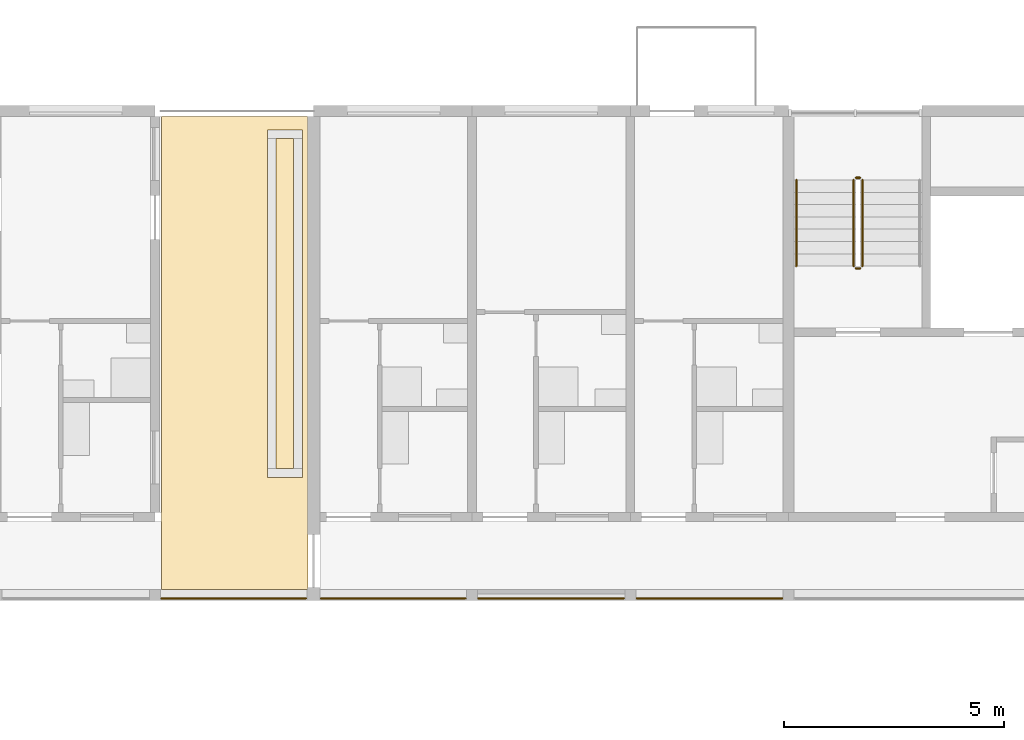
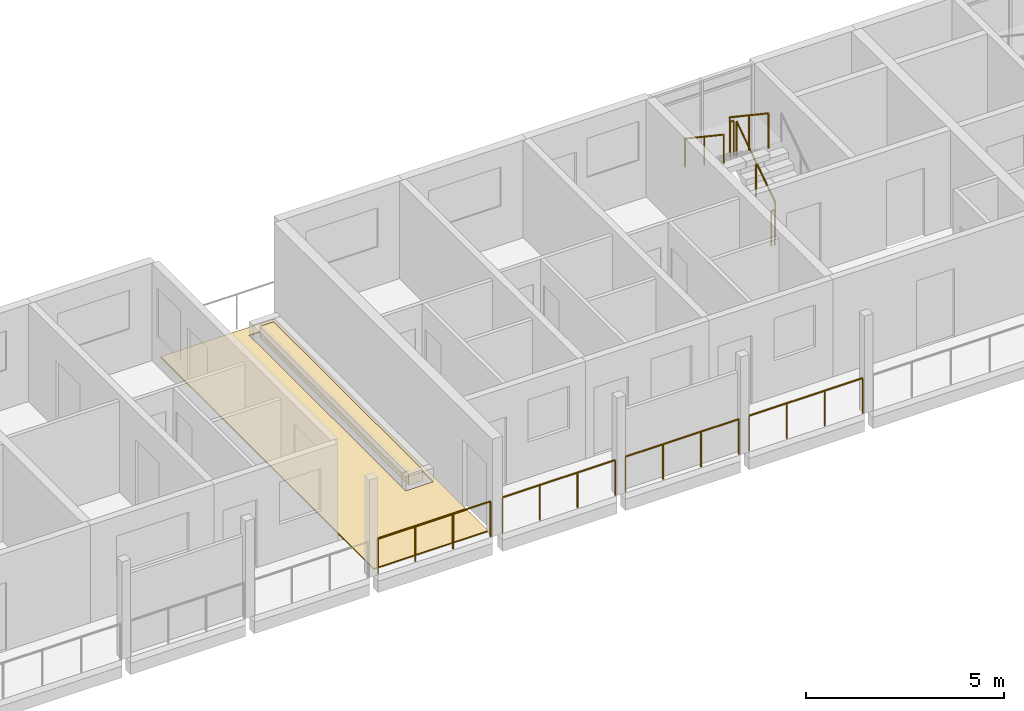
# One storey, part 76 of 93: 9 railings, 3 coverings.
"""IFC4 building model written with IfcOpenShell, lengths in metres."""

from ifc_helpers import new_model, si_unit, direction, frame, origin, origin_2d, place, context, subcontext, project, spatial, polyline, circle, outline, extrude, material, layer, layer_set, type_object, element, save


model = new_model("IFC4")

# Units and contexts
model_context = context("Model", 3, precision=1e-05, world=origin(), true_north=direction((0.0, 1.0)))
body_context = subcontext(model_context, "Body", "Model", "MODEL_VIEW")
ifc_project = project(units=[si_unit("LENGTHUNIT", "METRE"), si_unit("AREAUNIT", "SQUARE_METRE"), si_unit("VOLUMEUNIT", "CUBIC_METRE"), si_unit("PLANEANGLEUNIT", "RADIAN"), si_unit("MASSUNIT", "GRAM", prefix="KILO")], contexts=[model_context])

# Site, building, storey
site_placement = place(None, origin())
site = spatial("IfcSite", under=ifc_project, at=site_placement, CompositionType="ELEMENT")
building_placement = place(site_placement, origin())
building = spatial("IfcBuilding", under=site, at=building_placement, Name="Ridgestep Commons", CompositionType="ELEMENT")
storey_placement = place(building_placement, frame((0.0, 0.0, 18.0)))
storey = spatial("IfcBuildingStorey", under=building, at=storey_placement, Name="L06", CompositionType="ELEMENT", Elevation=18.0)

# Railings
ifc_material_1 = material(Name="Structural steel S355JR", Category="steel")
railing_type_1 = type_object("IfcRailingType", Name="Guard 1100", PredefinedType="GUARDRAIL", material=ifc_material_1)
for number, where, name in (
    (1, (58.946044921875, 66.050048828125, 0.0), "Gallery guard B 06.12"),
    (2, (62.571044921875, 66.050048828125, 0.0), "Gallery guard B 06.13"),
):
    element("IfcRailing", number, at=place(storey_placement, frame(where)), inside=storey, type_object=railing_type_1, Name=name, PredefinedType="GUARDRAIL", context=body_context, shape_type="SweptSolid", body=[
        extrude(circle(Radius=0.02392578125, at=origin_2d()), frame((0.0, 0.0, 1.076171875), z_axis=(1.0, 0.0, 0.0), x_axis=(0.0, 1.0, 0.0)), (0.0, 0.0, 1.0), 3.282958984375),
        extrude(circle(Radius=0.02099609375, at=origin_2d()), origin(), (0.0, 0.0, 1.0), 1.052001953125),
        extrude(circle(Radius=0.02099609375, at=origin_2d()), frame((1.09423828125, 0.0, 0.0)), (0.0, 0.0, 1.0), 1.052001953125),
        extrude(circle(Radius=0.02099609375, at=origin_2d()), frame((2.188720703125, 0.0, 0.0)), (0.0, 0.0, 1.0), 1.052001953125),
        extrude(circle(Radius=0.02099609375, at=origin_2d()), frame((3.282958984375, 0.0, 0.0)), (0.0, 0.0, 1.0), 1.052001953125),
    ])
railing_1_placement = place(storey_placement, frame((66.14599609375, 66.050048828125, 0.0)))
element("IfcRailing", 3, at=railing_1_placement, inside=storey, type_object=railing_type_1, Name="Gallery guard B 06.14", PredefinedType="GUARDRAIL", context=body_context, shape_type="SweptSolid", body=[
    extrude(circle(Radius=0.02392578125, at=origin_2d()), frame((0.0, 0.0, 1.076171875), z_axis=(1.0, 0.0, 0.0), x_axis=(0.0, 1.0, 0.0)), (0.0, 0.0, 1.0), 3.30810546875),
    extrude(circle(Radius=0.02099609375, at=origin_2d()), origin(), (0.0, 0.0, 1.0), 1.052001953125),
    extrude(circle(Radius=0.02099609375, at=origin_2d()), frame((1.102783203125, 0.0, 0.0)), (0.0, 0.0, 1.0), 1.052001953125),
    extrude(circle(Radius=0.02099609375, at=origin_2d()), frame((2.205322265625, 0.0, 0.0)), (0.0, 0.0, 1.0), 1.052001953125),
    extrude(circle(Radius=0.02099609375, at=origin_2d()), frame((3.30810546875, 0.0, 0.0)), (0.0, 0.0, 1.0), 1.052001953125),
])
railing_2_placement = place(storey_placement, frame((69.74609375, 66.050048828125, 0.0)))
element("IfcRailing", 4, at=railing_2_placement, inside=storey, type_object=railing_type_1, Name="Gallery guard B 06.15", PredefinedType="GUARDRAIL", context=body_context, shape_type="SweptSolid", body=[
    extrude(circle(Radius=0.02392578125, at=origin_2d()), frame((0.0, 0.0, 1.076171875), z_axis=(1.0, 0.0, 0.0), x_axis=(0.0, 1.0, 0.0)), (0.0, 0.0, 1.0), 3.307861328125),
    extrude(circle(Radius=0.02099609375, at=origin_2d()), origin(), (0.0, 0.0, 1.0), 1.052001953125),
    extrude(circle(Radius=0.02099609375, at=origin_2d()), frame((1.1025390625, 0.0, 0.0)), (0.0, 0.0, 1.0), 1.052001953125),
    extrude(circle(Radius=0.02099609375, at=origin_2d()), frame((2.205322265625, 0.0, 0.0)), (0.0, 0.0, 1.0), 1.052001953125),
    extrude(circle(Radius=0.02099609375, at=origin_2d()), frame((3.307861328125, 0.0, 0.0)), (0.0, 0.0, 1.0), 1.052001953125),
])

# Covering
ifc_material_2 = material(Name="Planting soil")
ifc_layer_1 = layer(ifc_material_2, 0.35009765625)
ifc_layer_set_1 = layer_set([ifc_layer_1], Name="Planting soil 350")
covering_type_1 = type_object("IfcCoveringType", Name="Planting soil 350", PredefinedType="FLOORING", material=ifc_layer_set_1)
covering_1_placement = place(storey_placement, frame((0.0, 0.0, 0.010009765625)))
element("IfcCovering", 5, at=covering_1_placement, inside=storey, type_object=covering_type_1, Name="Planting soil B3R1", PredefinedType="FLOORING", context=body_context, shape_type="SweptSolid", body=[
    extrude(outline(polyline([(61.550048828125, 69.0), (61.949951171875, 69.0), (61.949951171875, 76.5), (61.550048828125, 76.5), (61.550048828125, 69.0)])), origin(), (0.0, 0.0, 1.0), 0.35009765625),
])

# Railings
ifc_material_3 = material(Name="Structural steel S355JR", Category="steel")
railing_type_2 = type_object("IfcRailingType", Name="Stair guard 1100", PredefinedType="GUARDRAIL", material=ifc_material_3)
railing_3_placement = place(storey_placement, frame((74.875, 73.60009765625, 0.1875)))
element("IfcRailing", 6, at=railing_3_placement, inside=storey, type_object=railing_type_2, Name="L06 B4C stair guard 1", PredefinedType="GUARDRAIL", context=body_context, shape_type="SweptSolid", body=[
    extrude(circle(Radius=0.02392578125, at=origin_2d()), frame((0.0, 0.0, 1.076171875), z_axis=(0.0, 0.830902050051, 0.556418712142), x_axis=(-1.0, 0.0, 0.0)), (0.0, 0.0, 1.0), 2.35888671875),
    extrude(circle(Radius=0.02099609375, at=origin_2d()), origin(), (0.0, 0.0, 1.0), 1.052001953125),
    extrude(circle(Radius=0.02099609375, at=origin_2d()), frame((0.0, 0.97998046875, 0.65625)), (0.0, 0.0, 1.0), 1.052001953125),
    extrude(circle(Radius=0.02099609375, at=origin_2d()), frame((0.0, 1.9599609375, 1.3125)), (0.0, 0.0, 1.0), 1.052001953125),
])
railing_4_placement = place(storey_placement, frame((74.824951171875, 75.610107421875, 1.5)))
element("IfcRailing", 7, at=railing_4_placement, inside=storey, type_object=railing_type_2, Name="L06 B4C stair guard 2", PredefinedType="GUARDRAIL", context=body_context, shape_type="SweptSolid", body=[
    extrude(circle(Radius=0.02392578125, at=origin_2d()), frame((0.0, 0.0, 1.076171875), z_axis=(-1.0, 0.0, 0.0), x_axis=(0.0, -1.0, 0.0)), (0.0, 0.0, 1.0), 0.099853515625),
    extrude(circle(Radius=0.02099609375, at=origin_2d()), origin(), (0.0, 0.0, 1.0), 1.052001953125),
    extrude(circle(Radius=0.02099609375, at=origin_2d()), frame((-0.099853515625, 0.0, 0.0)), (0.0, 0.0, 1.0), 1.052001953125),
])
railing_5_placement = place(storey_placement, frame((74.675048828125, 75.56005859375, 1.6875)))
element("IfcRailing", 8, at=railing_5_placement, inside=storey, type_object=railing_type_2, Name="L06 B4C stair guard 3", PredefinedType="GUARDRAIL", context=body_context, shape_type="SweptSolid", body=[
    extrude(circle(Radius=0.02392578125, at=origin_2d()), frame((0.0, 0.0, 1.076171875), z_axis=(0.0, -0.830902050051, 0.556418712142), x_axis=(1.0, 0.0, 0.0)), (0.0, 0.0, 1.0), 2.35888671875),
    extrude(circle(Radius=0.02099609375, at=origin_2d()), origin(), (0.0, 0.0, 1.0), 1.052001953125),
    extrude(circle(Radius=0.02099609375, at=origin_2d()), frame((0.0, -0.97998046875, 0.65625)), (0.0, 0.0, 1.0), 1.052001953125),
    extrude(circle(Radius=0.02099609375, at=origin_2d()), frame((0.0, -1.9599609375, 1.3125)), (0.0, 0.0, 1.0), 1.052001953125),
])
railing_6_placement = place(storey_placement, frame((74.824951171875, 73.550048828125, 0.0)))
element("IfcRailing", 9, at=railing_6_placement, inside=storey, type_object=railing_type_2, Name="L06 B4C stair guard 4", PredefinedType="GUARDRAIL", context=body_context, shape_type="SweptSolid", body=[
    extrude(circle(Radius=0.02392578125, at=origin_2d()), frame((0.0, 0.0, 1.076171875), z_axis=(-1.0, 0.0, 0.0), x_axis=(0.0, -1.0, 0.0)), (0.0, 0.0, 1.0), 0.099853515625),
    extrude(circle(Radius=0.02099609375, at=origin_2d()), origin(), (0.0, 0.0, 1.0), 1.052001953125),
    extrude(circle(Radius=0.02099609375, at=origin_2d()), frame((-0.099853515625, 0.0, 0.0)), (0.0, 0.0, 1.0), 1.052001953125),
])
ifc_material_4 = material(Name="Structural steel S355JR", Category="steel")
railing_type_3 = type_object("IfcRailingType", Name="Stair handrail 900", PredefinedType="HANDRAIL", material=ifc_material_4)
railing_7_placement = place(storey_placement, frame((73.375, 75.56005859375, 1.6875)))
element("IfcRailing", 10, at=railing_7_placement, inside=storey, type_object=railing_type_3, Name="L06 B4C stair handrail 2", PredefinedType="HANDRAIL", context=body_context, shape_type="SweptSolid", body=[
    extrude(circle(Radius=0.02392578125, at=origin_2d()), frame((0.0, 0.0, 0.8759765625), z_axis=(0.0, -0.830902050051, 0.556418712142), x_axis=(1.0, 0.0, 0.0)), (0.0, 0.0, 1.0), 2.35888671875),
    extrude(circle(Radius=0.02099609375, at=origin_2d()), origin(), (0.0, 0.0, 1.0), 0.851806640625),
    extrude(circle(Radius=0.02099609375, at=origin_2d()), frame((0.0, -0.97998046875, 0.65625)), (0.0, 0.0, 1.0), 0.851806640625),
    extrude(circle(Radius=0.02099609375, at=origin_2d()), frame((0.0, -1.9599609375, 1.3125)), (0.0, 0.0, 1.0), 0.851806640625),
])

# Coverings
ifc_material_5 = material(Name="Bitumen membrane, two layer")
ifc_layer_2 = layer(ifc_material_5, 0.010009765625)
ifc_layer_set_2 = layer_set([ifc_layer_2], Name="Terrace membrane 10")
covering_type_2 = type_object("IfcCoveringType", Name="Terrace membrane 10", PredefinedType="ROOFING", material=ifc_layer_set_2)
covering_2_placement = place(storey_placement, origin())
element("IfcCovering", 11, at=covering_2_placement, inside=storey, type_object=covering_type_2, Name="Terrace membrane B3R1", PredefinedType="ROOFING", context=body_context, shape_type="SweptSolid", body=[
    extrude(outline(polyline([(62.27490234375, 66.25), (62.27490234375, 77.0), (58.949951171875, 77.0), (58.949951171875, 66.25), (62.27490234375, 66.25)]), holes=[polyline([(62.14990234375, 68.800048828125), (62.14990234375, 76.699951171875), (61.35009765625, 76.699951171875), (61.35009765625, 68.800048828125), (62.14990234375, 68.800048828125)])]), origin(), (0.0, 0.0, 1.0), 0.010009765625),
])
ifc_material_6 = material(Name="Concrete paving slab", Category="concrete")
ifc_layer_3 = layer(ifc_material_6, 0.030029296875)
ifc_layer_set_3 = layer_set([ifc_layer_3], Name="Terrace paving 30")
covering_type_3 = type_object("IfcCoveringType", Name="Terrace paving 30", PredefinedType="FLOORING", material=ifc_layer_set_3)
covering_3_placement = place(storey_placement, frame((0.0, 0.0, 0.010009765625)))
element("IfcCovering", 12, at=covering_3_placement, inside=storey, type_object=covering_type_3, Name="Terrace paving B3R1", PredefinedType="FLOORING", context=body_context, shape_type="SweptSolid", body=[
    extrude(outline(polyline([(62.27490234375, 66.25), (62.27490234375, 77.0), (58.949951171875, 77.0), (58.949951171875, 66.25), (62.27490234375, 66.25)]), holes=[polyline([(62.14990234375, 68.800048828125), (62.14990234375, 76.699951171875), (61.35009765625, 76.699951171875), (61.35009765625, 68.800048828125), (62.14990234375, 68.800048828125)])]), origin(), (0.0, 0.0, 1.0), 0.030029296875),
])

save(model, "model.ifc")
